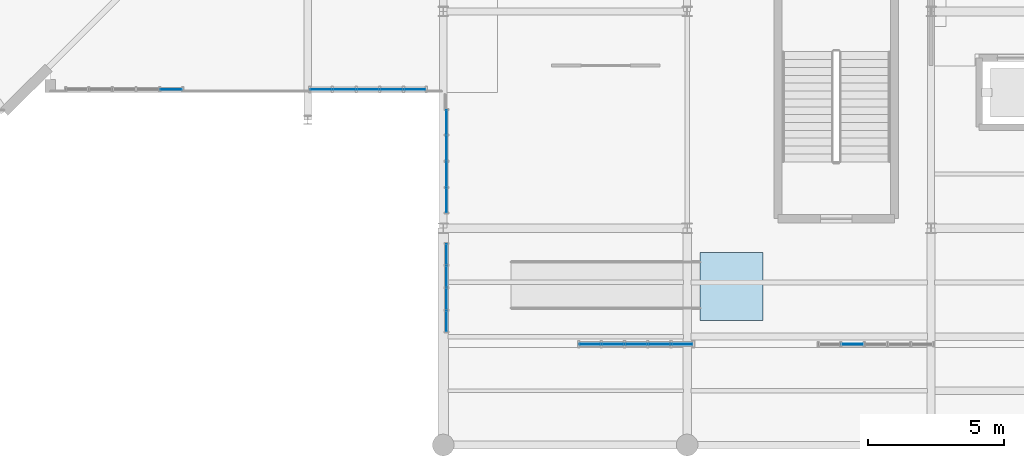
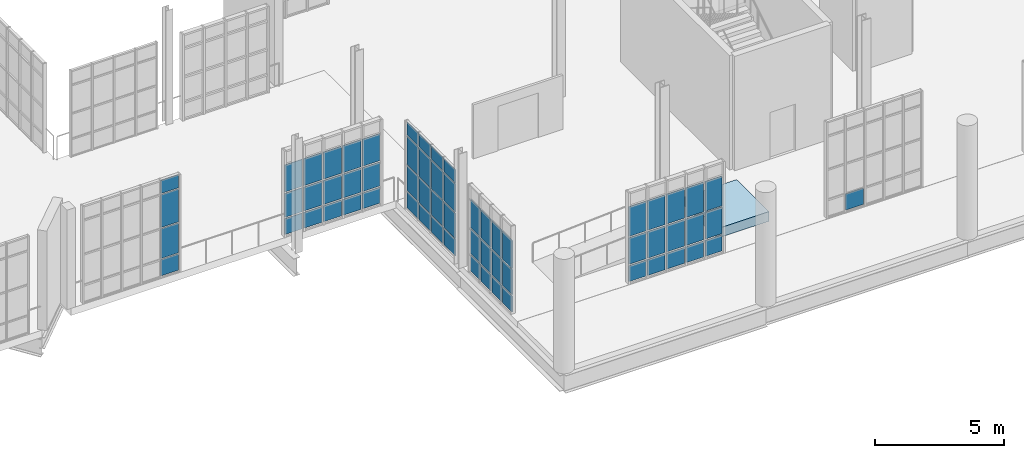
# One storey, part 149 of 189: 63 plates, 1 slab, 6 elements without a shape of their own.
"""IFC4 building model written with IfcOpenShell, lengths in metres."""

from ifc_helpers import new_model, si_unit, direction, frame, origin, origin_2d, place, context, subcontext, project, spatial, polyline, rectangle, outline, extrude, material, layer, layer_set, type_object, element, aggregate, save


model = new_model("IFC4")

# Units and contexts
model_context = context("Model", 3, precision=1e-05, world=origin(), true_north=direction((0.0, 1.0)))
body_context = subcontext(model_context, "Body", "Model", "MODEL_VIEW")
ifc_project = project(units=[si_unit("LENGTHUNIT", "METRE"), si_unit("AREAUNIT", "SQUARE_METRE"), si_unit("VOLUMEUNIT", "CUBIC_METRE"), si_unit("PLANEANGLEUNIT", "RADIAN"), si_unit("MASSUNIT", "GRAM", prefix="KILO"), si_unit("THERMODYNAMICTEMPERATUREUNIT", "KELVIN"), si_unit("POWERUNIT", "WATT")], contexts=[model_context])

# Site, building, storey
site_placement = place(None, origin())
site = spatial("IfcSite", under=ifc_project, at=site_placement, CompositionType="ELEMENT")
building_placement = place(site_placement, origin())
building = spatial("IfcBuilding", under=site, at=building_placement, Name="Zelmaris Science Centre", CompositionType="ELEMENT")
storey_placement = place(building_placement, origin())
storey = spatial("IfcBuildingStorey", under=building, at=storey_placement, Name="L00", CompositionType="ELEMENT", Elevation=0.0)

# Curtain wall, plates
ifc_material_1 = material(Name="Anodised architectural aluminium 6063-T6", Category="aluminium")
ifc_layer_1 = layer(ifc_material_1, 0.18994140625, Name="Anodised architectural aluminium 6063-T6")
ifc_layer_set_1 = layer_set([ifc_layer_1], Name="Anodised architectural aluminium 6063-T6")
curtain_wall_type_1 = type_object("IfcCurtainWallType", Name="Curtain Wall CW-01", PredefinedType="USERDEFINED", material=ifc_layer_set_1)
curtain_wall_1_placement = place(storey_placement, origin())
curtain_wall_1 = element("IfcCurtainWall", 1, at=curtain_wall_1_placement, inside=storey, type_object=curtain_wall_type_1, Name="L00 Unitised curtain wall 109", ObjectType="GLAZED CURTAIN WALL", PredefinedType="USERDEFINED")
ifc_material_2 = material(Name="Laminated hurricane-rated low-E insulated glazing", Category="glass")
ifc_layer_2 = layer(ifc_material_2, 0.031982421875, Name="Laminated hurricane-rated low-E insulated glazing")
ifc_layer_set_2 = layer_set([ifc_layer_2], Name="Laminated hurricane-rated low-E insulated glazing")
plate_type_1 = type_object("IfcPlateType", Name="Curtain Glazing Panel CWP-1 32mm", PredefinedType="CURTAIN_PANEL", material=ifc_layer_set_2)
plate_1_placement = place(storey_placement, frame((116.8193359375, 11.72021484375, 0.05712890625), z_axis=(0.0, 0.0, 1.0), x_axis=(-1.0, 0.0, 0.0)))
plate_1 = element("IfcPlate", 2, at=plate_1_placement, type_object=plate_type_1, Name="CW-01 panel 1.1", PredefinedType="CURTAIN_PANEL", context=body_context, shape_type="SweptSolid", body=[
    extrude(rectangle(XDim=0.752685546875, YDim=0.031982421875, at=origin_2d()), origin(), (0.0, 0.0, 1.0), 0.741943359375),
])
plate_2_placement = place(storey_placement, frame((116.8193359375, 11.72021484375, 0.870849609375), z_axis=(0.0, 0.0, 1.0), x_axis=(-1.0, 0.0, 0.0)))
plate_2 = element("IfcPlate", 3, at=plate_2_placement, type_object=plate_type_1, Name="CW-01 panel 1.2", PredefinedType="CURTAIN_PANEL", context=body_context, shape_type="SweptSolid", body=[
    extrude(rectangle(XDim=0.752685546875, YDim=0.031982421875, at=origin_2d()), origin(), (0.0, 0.0, 1.0), 1.2470703125),
])
plate_3_placement = place(storey_placement, frame((116.8193359375, 11.72021484375, 2.18994140625), z_axis=(0.0, 0.0, 1.0), x_axis=(-1.0, 0.0, 0.0)))
plate_3 = element("IfcPlate", 4, at=plate_3_placement, type_object=plate_type_1, Name="CW-01 panel 1.3", PredefinedType="CURTAIN_PANEL", context=body_context, shape_type="SweptSolid", body=[
    extrude(rectangle(XDim=0.752685546875, YDim=0.031982421875, at=origin_2d()), origin(), (0.0, 0.0, 1.0), 1.39697265625),
])
plate_4_placement = place(storey_placement, frame((115.9765625, 11.72021484375, 0.05712890625), z_axis=(0.0, 0.0, 1.0), x_axis=(-1.0, 0.0, 0.0)))
plate_4 = element("IfcPlate", 5, at=plate_4_placement, type_object=plate_type_1, Name="CW-01 panel 2.1", PredefinedType="CURTAIN_PANEL", context=body_context, shape_type="SweptSolid", body=[
    extrude(rectangle(XDim=0.788818359375, YDim=0.031982421875, at=origin_2d()), origin(), (0.0, 0.0, 1.0), 0.741943359375),
])
plate_5_placement = place(storey_placement, frame((115.9765625, 11.72021484375, 0.870849609375), z_axis=(0.0, 0.0, 1.0), x_axis=(-1.0, 0.0, 0.0)))
plate_5 = element("IfcPlate", 6, at=plate_5_placement, type_object=plate_type_1, Name="CW-01 panel 2.2", PredefinedType="CURTAIN_PANEL", context=body_context, shape_type="SweptSolid", body=[
    extrude(rectangle(XDim=0.788818359375, YDim=0.031982421875, at=origin_2d()), origin(), (0.0, 0.0, 1.0), 1.2470703125),
])
plate_6_placement = place(storey_placement, frame((115.9765625, 11.72021484375, 2.18994140625), z_axis=(0.0, 0.0, 1.0), x_axis=(-1.0, 0.0, 0.0)))
plate_6 = element("IfcPlate", 7, at=plate_6_placement, type_object=plate_type_1, Name="CW-01 panel 2.3", PredefinedType="CURTAIN_PANEL", context=body_context, shape_type="SweptSolid", body=[
    extrude(rectangle(XDim=0.788818359375, YDim=0.031982421875, at=origin_2d()), origin(), (0.0, 0.0, 1.0), 1.39697265625),
])
plate_7_placement = place(storey_placement, frame((115.11572265625, 11.72021484375, 0.05712890625), z_axis=(0.0, 0.0, 1.0), x_axis=(-1.0, 0.0, 0.0)))
plate_7 = element("IfcPlate", 8, at=plate_7_placement, type_object=plate_type_1, Name="CW-01 panel 3.1", PredefinedType="CURTAIN_PANEL", context=body_context, shape_type="SweptSolid", body=[
    extrude(rectangle(XDim=0.788818359375, YDim=0.031982421875, at=origin_2d()), origin(), (0.0, 0.0, 1.0), 0.741943359375),
])
plate_8_placement = place(storey_placement, frame((115.11572265625, 11.72021484375, 0.870849609375), z_axis=(0.0, 0.0, 1.0), x_axis=(-1.0, 0.0, 0.0)))
plate_8 = element("IfcPlate", 9, at=plate_8_placement, type_object=plate_type_1, Name="CW-01 panel 3.2", PredefinedType="CURTAIN_PANEL", context=body_context, shape_type="SweptSolid", body=[
    extrude(rectangle(XDim=0.788818359375, YDim=0.031982421875, at=origin_2d()), origin(), (0.0, 0.0, 1.0), 1.2470703125),
])
plate_9_placement = place(storey_placement, frame((115.11572265625, 11.72021484375, 2.18994140625), z_axis=(0.0, 0.0, 1.0), x_axis=(-1.0, 0.0, 0.0)))
plate_9 = element("IfcPlate", 10, at=plate_9_placement, type_object=plate_type_1, Name="CW-01 panel 3.3", PredefinedType="CURTAIN_PANEL", context=body_context, shape_type="SweptSolid", body=[
    extrude(rectangle(XDim=0.788818359375, YDim=0.031982421875, at=origin_2d()), origin(), (0.0, 0.0, 1.0), 1.39697265625),
])
plate_10_placement = place(storey_placement, frame((114.2548828125, 11.72021484375, 0.05712890625), z_axis=(0.0, 0.0, 1.0), x_axis=(-1.0, 0.0, 0.0)))
plate_10 = element("IfcPlate", 11, at=plate_10_placement, type_object=plate_type_1, Name="CW-01 panel 4.1", PredefinedType="CURTAIN_PANEL", context=body_context, shape_type="SweptSolid", body=[
    extrude(rectangle(XDim=0.788818359375, YDim=0.031982421875, at=origin_2d()), origin(), (0.0, 0.0, 1.0), 0.741943359375),
])
plate_11_placement = place(storey_placement, frame((114.2548828125, 11.72021484375, 0.870849609375), z_axis=(0.0, 0.0, 1.0), x_axis=(-1.0, 0.0, 0.0)))
plate_11 = element("IfcPlate", 12, at=plate_11_placement, type_object=plate_type_1, Name="CW-01 panel 4.2", PredefinedType="CURTAIN_PANEL", context=body_context, shape_type="SweptSolid", body=[
    extrude(rectangle(XDim=0.788818359375, YDim=0.031982421875, at=origin_2d()), origin(), (0.0, 0.0, 1.0), 1.2470703125),
])
plate_12_placement = place(storey_placement, frame((114.2548828125, 11.72021484375, 2.18994140625), z_axis=(0.0, 0.0, 1.0), x_axis=(-1.0, 0.0, 0.0)))
plate_12 = element("IfcPlate", 13, at=plate_12_placement, type_object=plate_type_1, Name="CW-01 panel 4.3", PredefinedType="CURTAIN_PANEL", context=body_context, shape_type="SweptSolid", body=[
    extrude(rectangle(XDim=0.788818359375, YDim=0.031982421875, at=origin_2d()), origin(), (0.0, 0.0, 1.0), 1.39697265625),
])
plate_13_placement = place(storey_placement, frame((113.412109375, 11.72021484375, 0.05712890625), z_axis=(0.0, 0.0, 1.0), x_axis=(-1.0, 0.0, 0.0)))
plate_13 = element("IfcPlate", 14, at=plate_13_placement, type_object=plate_type_1, Name="CW-01 panel 5.1", PredefinedType="CURTAIN_PANEL", context=body_context, shape_type="SweptSolid", body=[
    extrude(rectangle(XDim=0.752685546875, YDim=0.031982421875, at=origin_2d()), origin(), (0.0, 0.0, 1.0), 0.741943359375),
])
plate_14_placement = place(storey_placement, frame((113.412109375, 11.72021484375, 0.870849609375), z_axis=(0.0, 0.0, 1.0), x_axis=(-1.0, 0.0, 0.0)))
plate_14 = element("IfcPlate", 15, at=plate_14_placement, type_object=plate_type_1, Name="CW-01 panel 5.2", PredefinedType="CURTAIN_PANEL", context=body_context, shape_type="SweptSolid", body=[
    extrude(rectangle(XDim=0.752685546875, YDim=0.031982421875, at=origin_2d()), origin(), (0.0, 0.0, 1.0), 1.2470703125),
])
plate_15_placement = place(storey_placement, frame((113.412109375, 11.72021484375, 2.18994140625), z_axis=(0.0, 0.0, 1.0), x_axis=(-1.0, 0.0, 0.0)))
plate_15 = element("IfcPlate", 16, at=plate_15_placement, type_object=plate_type_1, Name="CW-01 panel 5.3", PredefinedType="CURTAIN_PANEL", context=body_context, shape_type="SweptSolid", body=[
    extrude(rectangle(XDim=0.752685546875, YDim=0.031982421875, at=origin_2d()), origin(), (0.0, 0.0, 1.0), 1.39697265625),
])
aggregate(curtain_wall_1, [plate_1, plate_2, plate_3, plate_4, plate_5, plate_6, plate_7, plate_8, plate_9, plate_10, plate_11, plate_12, plate_13, plate_14, plate_15])

curtain_wall_2_placement = place(storey_placement, origin())
curtain_wall_2 = element("IfcCurtainWall", 17, at=curtain_wall_2_placement, inside=storey, type_object=curtain_wall_type_1, Name="L00 Unitised curtain wall 113", ObjectType="GLAZED CURTAIN WALL", PredefinedType="USERDEFINED")
plate_16_placement = place(storey_placement, frame((106.9560546875, 21.118896484375, 0.05712890625), z_axis=(0.0, 0.0, 1.0), x_axis=(-0.999999995825, 9.1382612e-05, 0.0)))
plate_16 = element("IfcPlate", 18, at=plate_16_placement, type_object=plate_type_1, Name="CW-01 panel 1.1", PredefinedType="CURTAIN_PANEL", context=body_context, shape_type="SweptSolid", body=[
    extrude(rectangle(XDim=0.767333984375, YDim=0.031982421875, at=origin_2d()), origin(), (0.0, 0.0, 1.0), 0.741943359375),
])
plate_17_placement = place(storey_placement, frame((106.9560546875, 21.118896484375, 0.870849609375), z_axis=(0.0, 0.0, 1.0), x_axis=(-0.999999995825, 9.1382612e-05, 0.0)))
plate_17 = element("IfcPlate", 19, at=plate_17_placement, type_object=plate_type_1, Name="CW-01 panel 1.2", PredefinedType="CURTAIN_PANEL", context=body_context, shape_type="SweptSolid", body=[
    extrude(rectangle(XDim=0.767333984375, YDim=0.031982421875, at=origin_2d()), origin(), (0.0, 0.0, 1.0), 1.12255859375),
])
plate_18_placement = place(storey_placement, frame((106.9560546875, 21.118896484375, 2.0654296875), z_axis=(0.0, 0.0, 1.0), x_axis=(-0.999999995825, 9.1382612e-05, 0.0)))
plate_18 = element("IfcPlate", 20, at=plate_18_placement, type_object=plate_type_1, Name="CW-01 panel 1.3", PredefinedType="CURTAIN_PANEL", context=body_context, shape_type="SweptSolid", body=[
    extrude(rectangle(XDim=0.767333984375, YDim=0.031982421875, at=origin_2d()), origin(), (0.0, 0.0, 1.0), 1.2724609375),
])
plate_19_placement = place(storey_placement, frame((106.0986328125, 21.119140625, 0.05712890625), z_axis=(0.0, 0.0, 1.0), x_axis=(-0.999999995825, 9.1382612e-05, 0.0)))
plate_19 = element("IfcPlate", 21, at=plate_19_placement, type_object=plate_type_1, Name="CW-01 panel 2.1", PredefinedType="CURTAIN_PANEL", context=body_context, shape_type="SweptSolid", body=[
    extrude(rectangle(XDim=0.803466796875, YDim=0.031982421875, at=origin_2d()), origin(), (0.0, 0.0, 1.0), 0.741943359375),
])
plate_20_placement = place(storey_placement, frame((106.0986328125, 21.119140625, 0.870849609375), z_axis=(0.0, 0.0, 1.0), x_axis=(-0.999999995825, 9.1382612e-05, 0.0)))
plate_20 = element("IfcPlate", 22, at=plate_20_placement, type_object=plate_type_1, Name="CW-01 panel 2.2", PredefinedType="CURTAIN_PANEL", context=body_context, shape_type="SweptSolid", body=[
    extrude(rectangle(XDim=0.803466796875, YDim=0.031982421875, at=origin_2d()), origin(), (0.0, 0.0, 1.0), 1.12255859375),
])
plate_21_placement = place(storey_placement, frame((106.0986328125, 21.119140625, 2.0654296875), z_axis=(0.0, 0.0, 1.0), x_axis=(-0.999999995825, 9.1382612e-05, 0.0)))
plate_21 = element("IfcPlate", 23, at=plate_21_placement, type_object=plate_type_1, Name="CW-01 panel 2.3", PredefinedType="CURTAIN_PANEL", context=body_context, shape_type="SweptSolid", body=[
    extrude(rectangle(XDim=0.803466796875, YDim=0.031982421875, at=origin_2d()), origin(), (0.0, 0.0, 1.0), 1.2724609375),
])
plate_22_placement = place(storey_placement, frame((105.22314453125, 21.119140625, 0.05712890625), z_axis=(0.0, 0.0, 1.0), x_axis=(-0.999999995825, 9.1382612e-05, 0.0)))
plate_22 = element("IfcPlate", 24, at=plate_22_placement, type_object=plate_type_1, Name="CW-01 panel 3.1", PredefinedType="CURTAIN_PANEL", context=body_context, shape_type="SweptSolid", body=[
    extrude(rectangle(XDim=0.803466796875, YDim=0.031982421875, at=origin_2d()), origin(), (0.0, 0.0, 1.0), 0.741943359375),
])
plate_23_placement = place(storey_placement, frame((105.22314453125, 21.119140625, 0.870849609375), z_axis=(0.0, 0.0, 1.0), x_axis=(-0.999999995825, 9.1382612e-05, 0.0)))
plate_23 = element("IfcPlate", 25, at=plate_23_placement, type_object=plate_type_1, Name="CW-01 panel 3.2", PredefinedType="CURTAIN_PANEL", context=body_context, shape_type="SweptSolid", body=[
    extrude(rectangle(XDim=0.803466796875, YDim=0.031982421875, at=origin_2d()), origin(), (0.0, 0.0, 1.0), 1.12255859375),
])
plate_24_placement = place(storey_placement, frame((105.22314453125, 21.119140625, 2.0654296875), z_axis=(0.0, 0.0, 1.0), x_axis=(-0.999999995825, 9.1382612e-05, 0.0)))
plate_24 = element("IfcPlate", 26, at=plate_24_placement, type_object=plate_type_1, Name="CW-01 panel 3.3", PredefinedType="CURTAIN_PANEL", context=body_context, shape_type="SweptSolid", body=[
    extrude(rectangle(XDim=0.803466796875, YDim=0.031982421875, at=origin_2d()), origin(), (0.0, 0.0, 1.0), 1.2724609375),
])
plate_25_placement = place(storey_placement, frame((104.34765625, 21.119140625, 0.05712890625), z_axis=(0.0, 0.0, 1.0), x_axis=(-0.999999995825, 9.1382612e-05, 0.0)))
plate_25 = element("IfcPlate", 27, at=plate_25_placement, type_object=plate_type_1, Name="CW-01 panel 4.1", PredefinedType="CURTAIN_PANEL", context=body_context, shape_type="SweptSolid", body=[
    extrude(rectangle(XDim=0.803466796875, YDim=0.031982421875, at=origin_2d()), origin(), (0.0, 0.0, 1.0), 0.741943359375),
])
plate_26_placement = place(storey_placement, frame((104.34765625, 21.119140625, 0.870849609375), z_axis=(0.0, 0.0, 1.0), x_axis=(-0.999999995825, 9.1382612e-05, 0.0)))
plate_26 = element("IfcPlate", 28, at=plate_26_placement, type_object=plate_type_1, Name="CW-01 panel 4.2", PredefinedType="CURTAIN_PANEL", context=body_context, shape_type="SweptSolid", body=[
    extrude(rectangle(XDim=0.803466796875, YDim=0.031982421875, at=origin_2d()), origin(), (0.0, 0.0, 1.0), 1.12255859375),
])
plate_27_placement = place(storey_placement, frame((104.34765625, 21.119140625, 2.0654296875), z_axis=(0.0, 0.0, 1.0), x_axis=(-0.999999995825, 9.1382612e-05, 0.0)))
plate_27 = element("IfcPlate", 29, at=plate_27_placement, type_object=plate_type_1, Name="CW-01 panel 4.3", PredefinedType="CURTAIN_PANEL", context=body_context, shape_type="SweptSolid", body=[
    extrude(rectangle(XDim=0.803466796875, YDim=0.031982421875, at=origin_2d()), origin(), (0.0, 0.0, 1.0), 1.2724609375),
])
plate_28_placement = place(storey_placement, frame((103.490234375, 21.119140625, 0.05712890625), z_axis=(0.0, 0.0, 1.0), x_axis=(-0.999999995825, 9.1382612e-05, 0.0)))
plate_28 = element("IfcPlate", 30, at=plate_28_placement, type_object=plate_type_1, Name="CW-01 panel 5.1", PredefinedType="CURTAIN_PANEL", context=body_context, shape_type="SweptSolid", body=[
    extrude(rectangle(XDim=0.767333984375, YDim=0.031982421875, at=origin_2d()), origin(), (0.0, 0.0, 1.0), 0.741943359375),
])
plate_29_placement = place(storey_placement, frame((103.490234375, 21.119140625, 0.870849609375), z_axis=(0.0, 0.0, 1.0), x_axis=(-0.999999995825, 9.1382612e-05, 0.0)))
plate_29 = element("IfcPlate", 31, at=plate_29_placement, type_object=plate_type_1, Name="CW-01 panel 5.2", PredefinedType="CURTAIN_PANEL", context=body_context, shape_type="SweptSolid", body=[
    extrude(rectangle(XDim=0.767333984375, YDim=0.031982421875, at=origin_2d()), origin(), (0.0, 0.0, 1.0), 1.12255859375),
])
plate_30_placement = place(storey_placement, frame((103.490234375, 21.119140625, 2.0654296875), z_axis=(0.0, 0.0, 1.0), x_axis=(-0.999999995825, 9.1382612e-05, 0.0)))
plate_30 = element("IfcPlate", 32, at=plate_30_placement, type_object=plate_type_1, Name="CW-01 panel 5.3", PredefinedType="CURTAIN_PANEL", context=body_context, shape_type="SweptSolid", body=[
    extrude(rectangle(XDim=0.767333984375, YDim=0.031982421875, at=origin_2d()), origin(), (0.0, 0.0, 1.0), 1.2724609375),
])
aggregate(curtain_wall_2, [plate_16, plate_17, plate_18, plate_19, plate_20, plate_21, plate_22, plate_23, plate_24, plate_25, plate_26, plate_27, plate_28, plate_29, plate_30])

# Curtain wall, plate
ifc_layer_3 = layer(ifc_material_1, 0.2099609375, Name="Anodised architectural aluminium 6063-T6")
ifc_layer_set_3 = layer_set([ifc_layer_3], Name="Anodised architectural aluminium 6063-T6")
curtain_wall_type_2 = type_object("IfcCurtainWallType", Name="Curtain Wall CW-03", PredefinedType="USERDEFINED", material=ifc_layer_set_3)
curtain_wall_3_placement = place(storey_placement, origin())
curtain_wall_3 = element("IfcCurtainWall", 33, at=curtain_wall_3_placement, inside=storey, type_object=curtain_wall_type_2, Name="L00 Unitised curtain wall 107", ObjectType="GLAZED CURTAIN WALL", PredefinedType="USERDEFINED")
ifc_layer_4 = layer(ifc_material_2, 0.02587890625, Name="Laminated hurricane-rated low-E insulated glazing")
ifc_layer_set_4 = layer_set([ifc_layer_4], Name="Laminated hurricane-rated low-E insulated glazing")
plate_type_2 = type_object("IfcPlateType", Name="Curtain Glazing Panel CWP-3 26mm", PredefinedType="CURTAIN_PANEL", material=ifc_layer_set_4)
plate_31_placement = place(storey_placement, frame((123.102294921875, 11.72021484375, 0.0419921875), z_axis=(0.0, 0.0, 1.0), x_axis=(-1.0, 0.0, 0.0)))
plate_31 = element("IfcPlate", 34, at=plate_31_placement, type_object=plate_type_2, Name="CW-03 panel 4.1", PredefinedType="CURTAIN_PANEL", context=body_context, shape_type="SweptSolid", body=[
    extrude(rectangle(XDim=0.8037109375, YDim=0.02587890625, at=origin_2d()), origin(), (0.0, 0.0, 1.0), 0.764404296875),
])
aggregate(curtain_wall_3, [plate_31])

# Curtain wall, plates
curtain_wall_4_placement = place(storey_placement, origin())
curtain_wall_4 = element("IfcCurtainWall", 35, at=curtain_wall_4_placement, inside=storey, type_object=curtain_wall_type_2, Name="L00 Unitised curtain wall 111", ObjectType="GLAZED CURTAIN WALL", PredefinedType="USERDEFINED")
plate_32_placement = place(storey_placement, frame((108.1201171875, 12.5693359375, 0.0419921875), z_axis=(0.0, 0.0, 1.0), x_axis=(-3.0121381e-05, 0.999999999546, 0.0)))
plate_32 = element("IfcPlate", 36, at=plate_32_placement, type_object=plate_type_2, Name="CW-03 panel 1.1", PredefinedType="CURTAIN_PANEL", context=body_context, shape_type="SweptSolid", body=[
    extrude(rectangle(XDim=0.744384765625, YDim=0.02587890625, at=origin_2d()), origin(), (0.0, 0.0, 1.0), 0.764404296875),
])
plate_33_placement = place(storey_placement, frame((108.1201171875, 12.5693359375, 0.86328125), z_axis=(0.0, 0.0, 1.0), x_axis=(-3.0121381e-05, 0.999999999546, 0.0)))
plate_33 = element("IfcPlate", 37, at=plate_33_placement, type_object=plate_type_2, Name="CW-03 panel 1.2", PredefinedType="CURTAIN_PANEL", context=body_context, shape_type="SweptSolid", body=[
    extrude(rectangle(XDim=0.744384765625, YDim=0.02587890625, at=origin_2d()), origin(), (0.0, 0.0, 1.0), 1.177001953125),
])
plate_34_placement = place(storey_placement, frame((108.1201171875, 12.5693359375, 2.09765625), z_axis=(0.0, 0.0, 1.0), x_axis=(-3.0121381e-05, 0.999999999546, 0.0)))
plate_34 = element("IfcPlate", 38, at=plate_34_placement, type_object=plate_type_2, Name="CW-03 panel 1.3", PredefinedType="CURTAIN_PANEL", context=body_context, shape_type="SweptSolid", body=[
    extrude(rectangle(XDim=0.744384765625, YDim=0.02587890625, at=origin_2d()), origin(), (0.0, 0.0, 1.0), 1.326904296875),
])
plate_35_placement = place(storey_placement, frame((108.1201171875, 13.385009765625, 0.0419921875), z_axis=(0.0, 0.0, 1.0), x_axis=(-3.0121381e-05, 0.999999999546, 0.0)))
plate_35 = element("IfcPlate", 39, at=plate_35_placement, type_object=plate_type_2, Name="CW-03 panel 2.1", PredefinedType="CURTAIN_PANEL", context=body_context, shape_type="SweptSolid", body=[
    extrude(rectangle(XDim=0.77294921875, YDim=0.02587890625, at=origin_2d()), origin(), (0.0, 0.0, 1.0), 0.764404296875),
])
plate_36_placement = place(storey_placement, frame((108.1201171875, 13.385009765625, 0.86328125), z_axis=(0.0, 0.0, 1.0), x_axis=(-3.0121381e-05, 0.999999999546, 0.0)))
plate_36 = element("IfcPlate", 40, at=plate_36_placement, type_object=plate_type_2, Name="CW-03 panel 2.2", PredefinedType="CURTAIN_PANEL", context=body_context, shape_type="SweptSolid", body=[
    extrude(rectangle(XDim=0.77294921875, YDim=0.02587890625, at=origin_2d()), origin(), (0.0, 0.0, 1.0), 1.177001953125),
])
plate_37_placement = place(storey_placement, frame((108.1201171875, 13.385009765625, 2.09765625), z_axis=(0.0, 0.0, 1.0), x_axis=(-3.0121381e-05, 0.999999999546, 0.0)))
plate_37 = element("IfcPlate", 41, at=plate_37_placement, type_object=plate_type_2, Name="CW-03 panel 2.3", PredefinedType="CURTAIN_PANEL", context=body_context, shape_type="SweptSolid", body=[
    extrude(rectangle(XDim=0.77294921875, YDim=0.02587890625, at=origin_2d()), origin(), (0.0, 0.0, 1.0), 1.326904296875),
])
plate_38_placement = place(storey_placement, frame((108.1201171875, 14.215087890625, 0.0419921875), z_axis=(0.0, 0.0, 1.0), x_axis=(-3.0121381e-05, 0.999999999546, 0.0)))
plate_38 = element("IfcPlate", 42, at=plate_38_placement, type_object=plate_type_2, Name="CW-03 panel 3.1", PredefinedType="CURTAIN_PANEL", context=body_context, shape_type="SweptSolid", body=[
    extrude(rectangle(XDim=0.77294921875, YDim=0.02587890625, at=origin_2d()), origin(), (0.0, 0.0, 1.0), 0.764404296875),
])
plate_39_placement = place(storey_placement, frame((108.1201171875, 14.215087890625, 0.86328125), z_axis=(0.0, 0.0, 1.0), x_axis=(-3.0121381e-05, 0.999999999546, 0.0)))
plate_39 = element("IfcPlate", 43, at=plate_39_placement, type_object=plate_type_2, Name="CW-03 panel 3.2", PredefinedType="CURTAIN_PANEL", context=body_context, shape_type="SweptSolid", body=[
    extrude(rectangle(XDim=0.77294921875, YDim=0.02587890625, at=origin_2d()), origin(), (0.0, 0.0, 1.0), 1.177001953125),
])
plate_40_placement = place(storey_placement, frame((108.1201171875, 14.215087890625, 2.09765625), z_axis=(0.0, 0.0, 1.0), x_axis=(-3.0121381e-05, 0.999999999546, 0.0)))
plate_40 = element("IfcPlate", 44, at=plate_40_placement, type_object=plate_type_2, Name="CW-03 panel 3.3", PredefinedType="CURTAIN_PANEL", context=body_context, shape_type="SweptSolid", body=[
    extrude(rectangle(XDim=0.77294921875, YDim=0.02587890625, at=origin_2d()), origin(), (0.0, 0.0, 1.0), 1.326904296875),
])
plate_41_placement = place(storey_placement, frame((108.1201171875, 15.03076171875, 0.0419921875), z_axis=(0.0, 0.0, 1.0), x_axis=(-3.0121381e-05, 0.999999999546, 0.0)))
plate_41 = element("IfcPlate", 45, at=plate_41_placement, type_object=plate_type_2, Name="CW-03 panel 4.1", PredefinedType="CURTAIN_PANEL", context=body_context, shape_type="SweptSolid", body=[
    extrude(rectangle(XDim=0.744384765625, YDim=0.02587890625, at=origin_2d()), origin(), (0.0, 0.0, 1.0), 0.764404296875),
])
plate_42_placement = place(storey_placement, frame((108.1201171875, 15.03076171875, 0.86328125), z_axis=(0.0, 0.0, 1.0), x_axis=(-3.0121381e-05, 0.999999999546, 0.0)))
plate_42 = element("IfcPlate", 46, at=plate_42_placement, type_object=plate_type_2, Name="CW-03 panel 4.2", PredefinedType="CURTAIN_PANEL", context=body_context, shape_type="SweptSolid", body=[
    extrude(rectangle(XDim=0.744384765625, YDim=0.02587890625, at=origin_2d()), origin(), (0.0, 0.0, 1.0), 1.177001953125),
])
plate_43_placement = place(storey_placement, frame((108.1201171875, 15.03076171875, 2.09765625), z_axis=(0.0, 0.0, 1.0), x_axis=(-3.0121381e-05, 0.999999999546, 0.0)))
plate_43 = element("IfcPlate", 47, at=plate_43_placement, type_object=plate_type_2, Name="CW-03 panel 4.3", PredefinedType="CURTAIN_PANEL", context=body_context, shape_type="SweptSolid", body=[
    extrude(rectangle(XDim=0.744384765625, YDim=0.02587890625, at=origin_2d()), origin(), (0.0, 0.0, 1.0), 1.326904296875),
])
aggregate(curtain_wall_4, [plate_32, plate_33, plate_34, plate_35, plate_36, plate_37, plate_38, plate_39, plate_40, plate_41, plate_42, plate_43])

curtain_wall_5_placement = place(storey_placement, origin())
curtain_wall_5 = element("IfcCurtainWall", 48, at=curtain_wall_5_placement, inside=storey, type_object=curtain_wall_type_2, Name="L00 Unitised curtain wall 115", ObjectType="GLAZED CURTAIN WALL", PredefinedType="USERDEFINED")
plate_44_placement = place(storey_placement, frame((97.96533203125, 21.11962890625, 0.0419921875), z_axis=(0.0, 0.0, 1.0), x_axis=(-0.999999997651, 6.8536968e-05, 0.0)))
plate_44 = element("IfcPlate", 49, at=plate_44_placement, type_object=plate_type_2, Name="CW-03 panel 1.1", PredefinedType="CURTAIN_PANEL", context=body_context, shape_type="SweptSolid", body=[
    extrude(rectangle(XDim=0.7900390625, YDim=0.02587890625, at=origin_2d()), origin(), (0.0, 0.0, 1.0), 0.764404296875),
])
plate_45_placement = place(storey_placement, frame((97.96533203125, 21.11962890625, 0.863525390625), z_axis=(0.0, 0.0, 1.0), x_axis=(-0.999999997651, 6.8536968e-05, 0.0)))
plate_45 = element("IfcPlate", 50, at=plate_45_placement, type_object=plate_type_2, Name="CW-03 panel 1.2", PredefinedType="CURTAIN_PANEL", context=body_context, shape_type="SweptSolid", body=[
    extrude(rectangle(XDim=0.7900390625, YDim=0.02587890625, at=origin_2d()), origin(), (0.0, 0.0, 1.0), 1.400390625),
])
plate_46_placement = place(storey_placement, frame((97.96533203125, 21.11962890625, 2.32080078125), z_axis=(0.0, 0.0, 1.0), x_axis=(-0.999999997651, 6.8536968e-05, 0.0)))
plate_46 = element("IfcPlate", 51, at=plate_46_placement, type_object=plate_type_2, Name="CW-03 panel 1.3", PredefinedType="CURTAIN_PANEL", context=body_context, shape_type="SweptSolid", body=[
    extrude(rectangle(XDim=0.7900390625, YDim=0.02587890625, at=origin_2d()), origin(), (0.0, 0.0, 1.0), 1.550537109375),
])
plate_47_placement = place(storey_placement, frame((97.96533203125, 21.11962890625, 3.9287109375), z_axis=(0.0, 0.0, 1.0), x_axis=(-0.999999997651, 6.8536968e-05, 0.0)))
plate_47 = element("IfcPlate", 52, at=plate_47_placement, type_object=plate_type_2, Name="CW-03 panel 1.4", PredefinedType="CURTAIN_PANEL", context=body_context, shape_type="SweptSolid", body=[
    extrude(rectangle(XDim=0.7900390625, YDim=0.02587890625, at=origin_2d()), origin(), (0.0, 0.0, 1.0), 0.614501953125),
])
aggregate(curtain_wall_5, [plate_44, plate_45, plate_46, plate_47])

ifc_layer_5 = layer(ifc_material_1, 0.219970703125, Name="Anodised architectural aluminium 6063-T6")
ifc_layer_set_5 = layer_set([ifc_layer_5], Name="Anodised architectural aluminium 6063-T6")
curtain_wall_type_3 = type_object("IfcCurtainWallType", Name="Curtain Wall CW-04", PredefinedType="USERDEFINED", material=ifc_layer_set_5)
curtain_wall_6_placement = place(storey_placement, origin())
curtain_wall_6 = element("IfcCurtainWall", 53, at=curtain_wall_6_placement, inside=storey, type_object=curtain_wall_type_3, Name="L00 Unitised curtain wall 112", ObjectType="GLAZED CURTAIN WALL", PredefinedType="USERDEFINED")
ifc_layer_6 = layer(ifc_material_2, 0.02392578125, Name="Laminated hurricane-rated low-E insulated glazing")
ifc_layer_set_6 = layer_set([ifc_layer_6], Name="Laminated hurricane-rated low-E insulated glazing")
plate_type_3 = type_object("IfcPlateType", Name="Curtain Glazing Panel CWP-4 24mm", PredefinedType="CURTAIN_PANEL", material=ifc_layer_set_6)
plate_48_placement = place(storey_placement, frame((108.1201171875, 17.035400390625, 0.037109375), z_axis=(0.0, 0.0, 1.0), x_axis=(0.0, 1.0, 0.0)))
plate_48 = element("IfcPlate", 54, at=plate_48_placement, type_object=plate_type_3, Name="CW-04 panel 1.1", PredefinedType="CURTAIN_PANEL", context=body_context, shape_type="SweptSolid", body=[
    extrude(rectangle(XDim=0.886962890625, YDim=0.02392578125, at=origin_2d()), origin(), (0.0, 0.0, 1.0), 0.77197265625),
])
plate_49_placement = place(storey_placement, frame((108.1201171875, 17.035400390625, 0.86083984375), z_axis=(0.0, 0.0, 1.0), x_axis=(0.0, 1.0, 0.0)))
plate_49 = element("IfcPlate", 55, at=plate_49_placement, type_object=plate_type_3, Name="CW-04 panel 1.2", PredefinedType="CURTAIN_PANEL", context=body_context, shape_type="SweptSolid", body=[
    extrude(rectangle(XDim=0.886962890625, YDim=0.02392578125, at=origin_2d()), origin(), (0.0, 0.0, 1.0), 1.181884765625),
])
plate_50_placement = place(storey_placement, frame((108.1201171875, 17.035400390625, 2.094970703125), z_axis=(0.0, 0.0, 1.0), x_axis=(0.0, 1.0, 0.0)))
plate_50 = element("IfcPlate", 56, at=plate_50_placement, type_object=plate_type_3, Name="CW-04 panel 1.3", PredefinedType="CURTAIN_PANEL", context=body_context, shape_type="SweptSolid", body=[
    extrude(rectangle(XDim=0.886962890625, YDim=0.02392578125, at=origin_2d()), origin(), (0.0, 0.0, 1.0), 1.33203125),
])
plate_51_placement = place(storey_placement, frame((108.1201171875, 17.035400390625, 3.47900390625), z_axis=(0.0, 0.0, 1.0), x_axis=(0.0, 1.0, 0.0)))
plate_51 = element("IfcPlate", 57, at=plate_51_placement, type_object=plate_type_3, Name="CW-04 panel 1.4", PredefinedType="CURTAIN_PANEL", context=body_context, shape_type="SweptSolid", body=[
    extrude(rectangle(XDim=0.886962890625, YDim=0.02392578125, at=origin_2d()), origin(), (0.0, 0.0, 1.0), 0.6220703125),
])
plate_52_placement = place(storey_placement, frame((108.1201171875, 17.987548828125, 0.037109375), z_axis=(0.0, 0.0, 1.0), x_axis=(0.0, 1.0, 0.0)))
plate_52 = element("IfcPlate", 58, at=plate_52_placement, type_object=plate_type_3, Name="CW-04 panel 2.1", PredefinedType="CURTAIN_PANEL", context=body_context, shape_type="SweptSolid", body=[
    extrude(rectangle(XDim=0.9130859375, YDim=0.02392578125, at=origin_2d()), origin(), (0.0, 0.0, 1.0), 0.77197265625),
])
plate_53_placement = place(storey_placement, frame((108.1201171875, 17.987548828125, 0.86083984375), z_axis=(0.0, 0.0, 1.0), x_axis=(0.0, 1.0, 0.0)))
plate_53 = element("IfcPlate", 59, at=plate_53_placement, type_object=plate_type_3, Name="CW-04 panel 2.2", PredefinedType="CURTAIN_PANEL", context=body_context, shape_type="SweptSolid", body=[
    extrude(rectangle(XDim=0.9130859375, YDim=0.02392578125, at=origin_2d()), origin(), (0.0, 0.0, 1.0), 1.181884765625),
])
plate_54_placement = place(storey_placement, frame((108.1201171875, 17.987548828125, 2.094970703125), z_axis=(0.0, 0.0, 1.0), x_axis=(0.0, 1.0, 0.0)))
plate_54 = element("IfcPlate", 60, at=plate_54_placement, type_object=plate_type_3, Name="CW-04 panel 2.3", PredefinedType="CURTAIN_PANEL", context=body_context, shape_type="SweptSolid", body=[
    extrude(rectangle(XDim=0.9130859375, YDim=0.02392578125, at=origin_2d()), origin(), (0.0, 0.0, 1.0), 1.33203125),
])
plate_55_placement = place(storey_placement, frame((108.1201171875, 17.987548828125, 3.47900390625), z_axis=(0.0, 0.0, 1.0), x_axis=(0.0, 1.0, 0.0)))
plate_55 = element("IfcPlate", 61, at=plate_55_placement, type_object=plate_type_3, Name="CW-04 panel 2.4", PredefinedType="CURTAIN_PANEL", context=body_context, shape_type="SweptSolid", body=[
    extrude(rectangle(XDim=0.9130859375, YDim=0.02392578125, at=origin_2d()), origin(), (0.0, 0.0, 1.0), 0.6220703125),
])
plate_56_placement = place(storey_placement, frame((108.1201171875, 18.952392578125, 0.037109375), z_axis=(0.0, 0.0, 1.0), x_axis=(0.0, 1.0, 0.0)))
plate_56 = element("IfcPlate", 62, at=plate_56_placement, type_object=plate_type_3, Name="CW-04 panel 3.1", PredefinedType="CURTAIN_PANEL", context=body_context, shape_type="SweptSolid", body=[
    extrude(rectangle(XDim=0.9130859375, YDim=0.02392578125, at=origin_2d()), origin(), (0.0, 0.0, 1.0), 0.77197265625),
])
plate_57_placement = place(storey_placement, frame((108.1201171875, 18.952392578125, 0.86083984375), z_axis=(0.0, 0.0, 1.0), x_axis=(0.0, 1.0, 0.0)))
plate_57 = element("IfcPlate", 63, at=plate_57_placement, type_object=plate_type_3, Name="CW-04 panel 3.2", PredefinedType="CURTAIN_PANEL", context=body_context, shape_type="SweptSolid", body=[
    extrude(rectangle(XDim=0.9130859375, YDim=0.02392578125, at=origin_2d()), origin(), (0.0, 0.0, 1.0), 1.181884765625),
])
plate_58_placement = place(storey_placement, frame((108.1201171875, 18.952392578125, 2.094970703125), z_axis=(0.0, 0.0, 1.0), x_axis=(0.0, 1.0, 0.0)))
plate_58 = element("IfcPlate", 64, at=plate_58_placement, type_object=plate_type_3, Name="CW-04 panel 3.3", PredefinedType="CURTAIN_PANEL", context=body_context, shape_type="SweptSolid", body=[
    extrude(rectangle(XDim=0.9130859375, YDim=0.02392578125, at=origin_2d()), origin(), (0.0, 0.0, 1.0), 1.33203125),
])
plate_59_placement = place(storey_placement, frame((108.1201171875, 18.952392578125, 3.47900390625), z_axis=(0.0, 0.0, 1.0), x_axis=(0.0, 1.0, 0.0)))
plate_59 = element("IfcPlate", 65, at=plate_59_placement, type_object=plate_type_3, Name="CW-04 panel 3.4", PredefinedType="CURTAIN_PANEL", context=body_context, shape_type="SweptSolid", body=[
    extrude(rectangle(XDim=0.9130859375, YDim=0.02392578125, at=origin_2d()), origin(), (0.0, 0.0, 1.0), 0.6220703125),
])
plate_60_placement = place(storey_placement, frame((108.1201171875, 19.904541015625, 0.037109375), z_axis=(0.0, 0.0, 1.0), x_axis=(0.0, 1.0, 0.0)))
plate_60 = element("IfcPlate", 66, at=plate_60_placement, type_object=plate_type_3, Name="CW-04 panel 4.1", PredefinedType="CURTAIN_PANEL", context=body_context, shape_type="SweptSolid", body=[
    extrude(rectangle(XDim=0.886962890625, YDim=0.02392578125, at=origin_2d()), origin(), (0.0, 0.0, 1.0), 0.77197265625),
])
plate_61_placement = place(storey_placement, frame((108.1201171875, 19.904541015625, 0.86083984375), z_axis=(0.0, 0.0, 1.0), x_axis=(0.0, 1.0, 0.0)))
plate_61 = element("IfcPlate", 67, at=plate_61_placement, type_object=plate_type_3, Name="CW-04 panel 4.2", PredefinedType="CURTAIN_PANEL", context=body_context, shape_type="SweptSolid", body=[
    extrude(rectangle(XDim=0.886962890625, YDim=0.02392578125, at=origin_2d()), origin(), (0.0, 0.0, 1.0), 1.181884765625),
])
plate_62_placement = place(storey_placement, frame((108.1201171875, 19.904541015625, 2.094970703125), z_axis=(0.0, 0.0, 1.0), x_axis=(0.0, 1.0, 0.0)))
plate_62 = element("IfcPlate", 68, at=plate_62_placement, type_object=plate_type_3, Name="CW-04 panel 4.3", PredefinedType="CURTAIN_PANEL", context=body_context, shape_type="SweptSolid", body=[
    extrude(rectangle(XDim=0.886962890625, YDim=0.02392578125, at=origin_2d()), origin(), (0.0, 0.0, 1.0), 1.33203125),
])
plate_63_placement = place(storey_placement, frame((108.1201171875, 19.904541015625, 3.47900390625), z_axis=(0.0, 0.0, 1.0), x_axis=(0.0, 1.0, 0.0)))
plate_63 = element("IfcPlate", 69, at=plate_63_placement, type_object=plate_type_3, Name="CW-04 panel 4.4", PredefinedType="CURTAIN_PANEL", context=body_context, shape_type="SweptSolid", body=[
    extrude(rectangle(XDim=0.886962890625, YDim=0.02392578125, at=origin_2d()), origin(), (0.0, 0.0, 1.0), 0.6220703125),
])
aggregate(curtain_wall_6, [plate_48, plate_49, plate_50, plate_51, plate_52, plate_53, plate_54, plate_55, plate_56, plate_57, plate_58, plate_59, plate_60, plate_61, plate_62, plate_63])

# Slab
ifc_material_3 = material(Name="Concrete C35/45", Category="concrete")
ifc_layer_7 = layer(ifc_material_3, 0.449951171875, Name="Concrete C35/45")
ifc_layer_set_7 = layer_set([ifc_layer_7], Name="Concrete C35/45")
slab_type = type_object("IfcSlabType", Name="Slab SL-LD450 450mm", PredefinedType="LANDING", material=ifc_layer_set_7)
slab_placement = place(storey_placement, origin())
element("IfcSlab", 70, at=slab_placement, inside=storey, type_object=slab_type, Name="L00 Entrance foyer step-free ramp arrival landing", PredefinedType="LANDING", context=body_context, shape_type="SweptSolid", body=[
    extrude(outline(polyline([(117.47998046875, 12.60009765625), (119.800048828125, 12.60009765625), (119.800048828125, 15.10009765625), (117.47998046875, 15.10009765625), (117.47998046875, 12.60009765625)])), origin(), (0.0, 0.0, 1.0), 0.449951171875),
])

save(model, "model.ifc")
